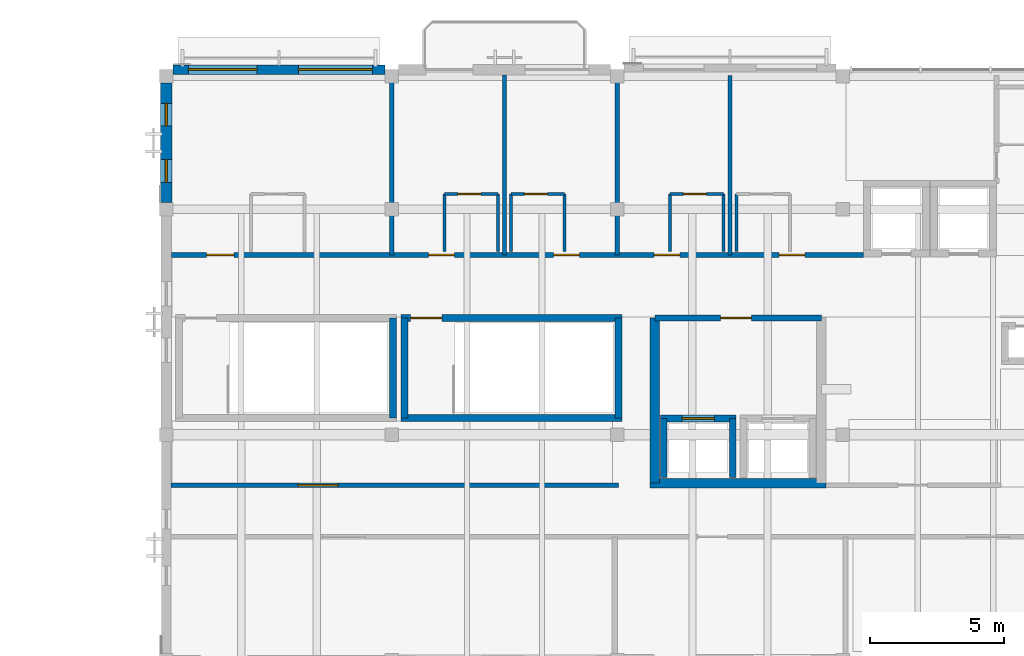
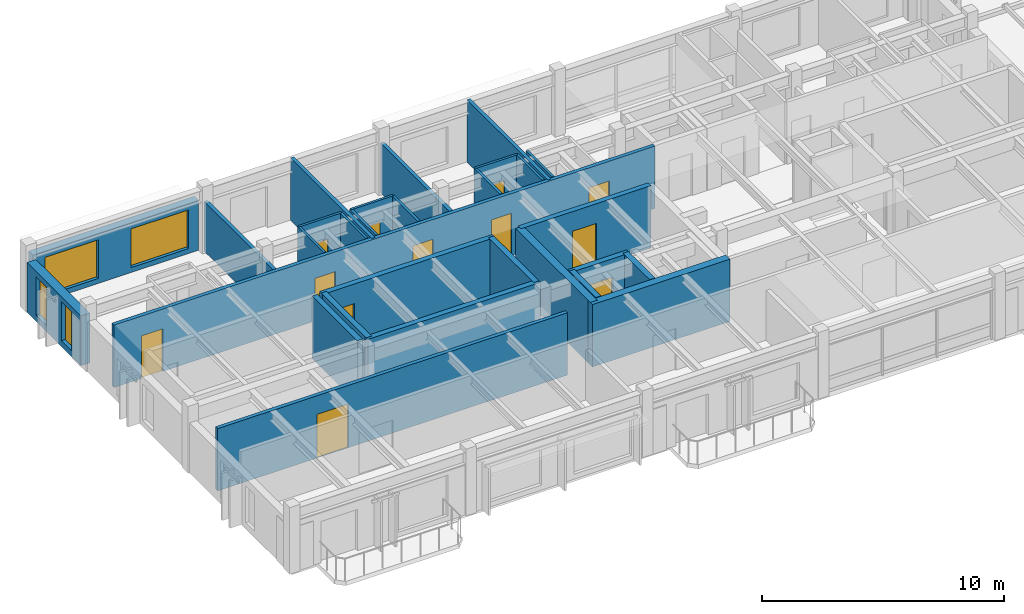
# One storey, part 14 of 24: 29 walls, 12 doors, 4 windows, 16 openings.
"""IFC4 building model written with IfcOpenShell, lengths in metres."""

from ifc_helpers import new_model, si_unit, direction, frame, frame_2d, origin, place, context, subcontext, project, spatial, rectangle, extrude, material, layer, layer_set, type_object, element, fill, save


model = new_model("IFC4")

# Units and contexts
model_context = context("Model", 3, precision=1e-05, world=origin(), true_north=direction((0.0, 1.0)))
body_context = subcontext(model_context, "Body", "Model", "MODEL_VIEW")
ifc_project = project(units=[si_unit("LENGTHUNIT", "METRE"), si_unit("AREAUNIT", "SQUARE_METRE"), si_unit("VOLUMEUNIT", "CUBIC_METRE"), si_unit("PLANEANGLEUNIT", "RADIAN"), si_unit("MASSUNIT", "GRAM", prefix="KILO")], contexts=[model_context])

# Site, building, storey
site_placement = place(None, origin())
site = spatial("IfcSite", under=ifc_project, at=site_placement, CompositionType="ELEMENT")
building_placement = place(site_placement, origin())
building = spatial("IfcBuilding", under=site, at=building_placement, Name="Cumbredor Promenade Congress Hotel", CompositionType="ELEMENT")
storey_placement = place(building_placement, frame((0.0, 0.0, 35.280029296875)))
storey = spatial("IfcBuildingStorey", under=building, at=storey_placement, Name="L10", CompositionType="ELEMENT", Elevation=35.280029296875)

# Walls
ifc_material_1 = material(Name="Concrete C50/60", Category="concrete")
ifc_layer_1 = layer(ifc_material_1, 0.35009765625, Name="Concrete C50/60", Category="concrete")
ifc_layer_set_1 = layer_set([ifc_layer_1], Name="Concrete C50/60")
wall_type_1 = type_object("IfcWallType", Name="Seismic Shear Core Wall 350mm", PredefinedType="SHEAR", material=ifc_layer_set_1)
wall_1_placement = place(storey_placement, frame((26.60009765625, 99.0, 0.0), z_axis=(0.0, 0.0, 1.0), x_axis=(0.0, 1.0, 0.0)))
element("IfcWall", 1, at=wall_1_placement, inside=storey, type_object=wall_type_1, Name="L10 Hotel Core Shear Wall W1", PredefinedType="SHEAR", context=body_context, shape_type="SweptSolid", body=[
    extrude(rectangle(XDim=6.14990234375, YDim=0.35009765625, at=frame_2d((3.074951171875, 0.0))), origin(), (0.0, 0.0, 1.0), 3.139892578125),
])
wall_2_placement = place(storey_placement, frame((26.425048828125, 99.0, 0.0), z_axis=(0.0, 0.0, 1.0), x_axis=(1.0, 0.0, 0.0)))
element("IfcWall", 2, at=wall_2_placement, inside=storey, type_object=wall_type_1, Name="L10 Hotel Core Shear Wall S1", PredefinedType="SHEAR", context=body_context, shape_type="SweptSolid", body=[
    extrude(rectangle(XDim=6.550048828125, YDim=0.35009765625, at=frame_2d((3.27490234375, 0.0))), origin(), (0.0, 0.0, 1.0), 3.139892578125),
])

# Wall, opening, door
ifc_material_2 = material(Name="Moisture-resistant gypsum board on steel studs", Category="steel")
ifc_layer_2 = layer(ifc_material_2, 0.114990234375, Name="Moisture-resistant gypsum board on steel studs", Category="steel")
ifc_layer_set_2 = layer_set([ifc_layer_2], Name="Moisture-resistant gypsum board on steel studs")
wall_type_2 = type_object("IfcWallType", Name="WL-BATH-115", PredefinedType="PARTITIONING", material=ifc_layer_set_2)
wall_3_placement = place(storey_placement, frame((18.760009765625, 109.77001953125, 0.0), z_axis=(0.0, 0.0, 1.0), x_axis=(1.0, 0.0, 0.0)))
wall_3 = element("IfcWall", 3, at=wall_3_placement, inside=storey, type_object=wall_type_2, Name="L10 Interior Partition W-L10-BH-1002", PredefinedType="PARTITIONING", context=body_context, shape_type="SweptSolid", body=[
    extrude(rectangle(XDim=2.0, YDim=0.114990234375, at=frame_2d((1.0, 0.0))), origin(), (0.0, 0.0, 1.0), 3.139892578125),
])
opening_1_placement = place(wall_3_placement, frame((0.5, 0.0, 0.0)))
opening_1 = element("IfcOpeningElement", 4, at=opening_1_placement, cuts=wall_3, Name="Opening ID-01", PredefinedType="OPENING", context=body_context, shape_type="SweptSolid", body=[
    extrude(rectangle(XDim=0.860107421875, YDim=2.050048828125, at=frame_2d((0.43017578125, 1.02490234375))), frame((0.0, 0.0673828125, 0.0), z_axis=(0.0, -1.0, 0.0), x_axis=(1.0, 0.0, 0.0)), (0.0, 0.0, 1.0), 0.135009765625),
])
ifc_material_3 = material(Name="Kiln-dried tropical hardwood", Category="wood")
door_type_1 = type_object("IfcDoorType", Name="DR-BATH-860", OperationType="NOTDEFINED", PredefinedType="DOOR", material=ifc_material_3)
door_1_placement = place(opening_1_placement, origin())
door_1 = element("IfcDoor", 5, at=door_1_placement, inside=storey, type_object=door_type_1, Name="L10 Interior Door W-L10-BH-1002-01", OperationType="SINGLE_SWING_LEFT", OverallHeight=2.050048828125, OverallWidth=0.860107421875, PredefinedType="DOOR", context=body_context, shape_type="SweptSolid", body=[
    extrude(rectangle(XDim=0.860107421875, YDim=2.050048828125, at=frame_2d((0.43017578125, 1.02490234375))), frame((0.0, 0.02490234375, 0.0), z_axis=(0.0, -1.0, 0.0), x_axis=(1.0, 0.0, 0.0)), (0.0, 0.0, 1.0), 0.050048828125),
])
fill(opening_1, door_1)

# Walls
for number, where, z_axis, x_axis, name in (
    (6, (18.760009765625, 107.6201171875, 0.0), (0.0, 0.0, 1.0), (0.0, 1.0, 0.0), "L10 Interior Partition W-L10-BV1-1002"),
    (7, (20.760009765625, 107.6201171875, 0.0), (0.0, 0.0, 1.0), (0.0, 1.0, 0.0), "L10 Interior Partition W-L10-BV2-1002"),
):
    element("IfcWall", number, at=place(storey_placement, frame(where, z_axis=z_axis, x_axis=x_axis)), inside=storey, type_object=wall_type_2, Name=name, PredefinedType="PARTITIONING", context=body_context, shape_type="SweptSolid", body=[
        extrude(rectangle(XDim=2.14990234375, YDim=0.114990234375, at=frame_2d((1.074951171875, 0.0))), origin(), (0.0, 0.0, 1.0), 3.139892578125),
    ])

# Wall, opening, door
wall_4_placement = place(storey_placement, frame((21.239990234375, 109.77001953125, 0.0), z_axis=(0.0, 0.0, 1.0), x_axis=(1.0, 0.0, 0.0)))
wall_4 = element("IfcWall", 8, at=wall_4_placement, inside=storey, type_object=wall_type_2, Name="L10 Interior Partition W-L10-BH-1003", PredefinedType="PARTITIONING", context=body_context, shape_type="SweptSolid", body=[
    extrude(rectangle(XDim=2.0, YDim=0.114990234375, at=frame_2d((1.0, 0.0))), origin(), (0.0, 0.0, 1.0), 3.139892578125),
])
opening_2_placement = place(wall_4_placement, frame((0.5, 0.0, 0.0)))
opening_2 = element("IfcOpeningElement", 9, at=opening_2_placement, cuts=wall_4, Name="Opening ID-01", PredefinedType="OPENING", context=body_context, shape_type="SweptSolid", body=[
    extrude(rectangle(XDim=0.860107421875, YDim=2.050048828125, at=frame_2d((0.43017578125, 1.02490234375))), frame((0.0, 0.0673828125, 0.0), z_axis=(0.0, -1.0, 0.0), x_axis=(1.0, 0.0, 0.0)), (0.0, 0.0, 1.0), 0.135009765625),
])
door_2_placement = place(opening_2_placement, origin())
door_2 = element("IfcDoor", 10, at=door_2_placement, inside=storey, type_object=door_type_1, Name="L10 Interior Door W-L10-BH-1003-01", OperationType="SINGLE_SWING_RIGHT", OverallHeight=2.050048828125, OverallWidth=0.860107421875, PredefinedType="DOOR", context=body_context, shape_type="SweptSolid", body=[
    extrude(rectangle(XDim=0.860107421875, YDim=2.050048828125, at=frame_2d((0.43017578125, 1.02490234375))), frame((0.0, 0.02490234375, 0.0), z_axis=(0.0, -1.0, 0.0), x_axis=(1.0, 0.0, 0.0)), (0.0, 0.0, 1.0), 0.050048828125),
])
fill(opening_2, door_2)

# Walls
for number, where, z_axis, x_axis, name in (
    (11, (21.239990234375, 107.6201171875, 0.0), (0.0, 0.0, 1.0), (0.0, 1.0, 0.0), "L10 Interior Partition W-L10-BV1-1003"),
    (12, (23.239990234375, 107.6201171875, 0.0), (0.0, 0.0, 1.0), (0.0, 1.0, 0.0), "L10 Interior Partition W-L10-BV2-1003"),
):
    element("IfcWall", number, at=place(storey_placement, frame(where, z_axis=z_axis, x_axis=x_axis)), inside=storey, type_object=wall_type_2, Name=name, PredefinedType="PARTITIONING", context=body_context, shape_type="SweptSolid", body=[
        extrude(rectangle(XDim=2.14990234375, YDim=0.114990234375, at=frame_2d((1.074951171875, 0.0))), origin(), (0.0, 0.0, 1.0), 3.139892578125),
    ])

# Wall, opening, door
wall_5_placement = place(storey_placement, frame((27.159912109375, 109.77001953125, 0.0), z_axis=(0.0, 0.0, 1.0), x_axis=(1.0, 0.0, 0.0)))
wall_5 = element("IfcWall", 13, at=wall_5_placement, inside=storey, type_object=wall_type_2, Name="L10 Interior Partition W-L10-BH-1004", PredefinedType="PARTITIONING", context=body_context, shape_type="SweptSolid", body=[
    extrude(rectangle(XDim=2.0, YDim=0.114990234375, at=frame_2d((1.0, 0.0))), origin(), (0.0, 0.0, 1.0), 3.139892578125),
])
opening_3_placement = place(wall_5_placement, frame((0.5, 0.0, 0.0)))
opening_3 = element("IfcOpeningElement", 14, at=opening_3_placement, cuts=wall_5, Name="Opening ID-01", PredefinedType="OPENING", context=body_context, shape_type="SweptSolid", body=[
    extrude(rectangle(XDim=0.860107421875, YDim=2.050048828125, at=frame_2d((0.43017578125, 1.02490234375))), frame((0.0, 0.0673828125, 0.0), z_axis=(0.0, -1.0, 0.0), x_axis=(1.0, 0.0, 0.0)), (0.0, 0.0, 1.0), 0.135009765625),
])
door_3_placement = place(opening_3_placement, origin())
door_3 = element("IfcDoor", 15, at=door_3_placement, inside=storey, type_object=door_type_1, Name="L10 Interior Door W-L10-BH-1004-01", OperationType="SINGLE_SWING_LEFT", OverallHeight=2.050048828125, OverallWidth=0.860107421875, PredefinedType="DOOR", context=body_context, shape_type="SweptSolid", body=[
    extrude(rectangle(XDim=0.860107421875, YDim=2.050048828125, at=frame_2d((0.43017578125, 1.02490234375))), frame((0.0, 0.02490234375, 0.0), z_axis=(0.0, -1.0, 0.0), x_axis=(1.0, 0.0, 0.0)), (0.0, 0.0, 1.0), 0.050048828125),
])
fill(opening_3, door_3)

# Walls
for number, where, z_axis, x_axis, name in (
    (16, (27.159912109375, 107.6201171875, 0.0), (0.0, 0.0, 1.0), (0.0, 1.0, 0.0), "L10 Interior Partition W-L10-BV1-1004"),
    (17, (29.159912109375, 107.6201171875, 0.0), (0.0, 0.0, 1.0), (0.0, 1.0, 0.0), "L10 Interior Partition W-L10-BV2-1004"),
    (18, (29.639892578125, 107.6201171875, 0.0), (0.0, 0.0, 1.0), (0.0, 1.0, 0.0), "L10 Interior Partition W-L10-BV1-1005"),
):
    element("IfcWall", number, at=place(storey_placement, frame(where, z_axis=z_axis, x_axis=x_axis)), inside=storey, type_object=wall_type_2, Name=name, PredefinedType="PARTITIONING", context=body_context, shape_type="SweptSolid", body=[
        extrude(rectangle(XDim=2.14990234375, YDim=0.114990234375, at=frame_2d((1.074951171875, 0.0))), origin(), (0.0, 0.0, 1.0), 3.139892578125),
    ])

# Wall, openings, doors
ifc_material_4 = material(Name="Fire-rated hotel corridor wall")
ifc_layer_3 = layer(ifc_material_4, 0.179931640625, Name="Fire-rated hotel corridor wall")
ifc_layer_set_3 = layer_set([ifc_layer_3], Name="Fire-rated hotel corridor wall")
wall_type_3 = type_object("IfcWallType", Name="WL-CORR-180", PredefinedType="PARTITIONING", material=ifc_layer_set_3)
wall_6_placement = place(storey_placement, frame((8.590087890625, 107.5, 0.0), z_axis=(0.0, 0.0, 1.0), x_axis=(1.0, 0.0, 0.0)))
wall_6 = element("IfcWall", 19, at=wall_6_placement, inside=storey, type_object=wall_type_3, Name="L10 Interior Partition W-L10-CORR-NW", PredefinedType="PARTITIONING", context=body_context, shape_type="SweptSolid", body=[
    extrude(rectangle(XDim=25.780029296875, YDim=0.179931640625, at=frame_2d((12.89013671875, 0.0))), origin(), (0.0, 0.0, 1.0), 3.139892578125),
])
opening_4_placement = place(wall_6_placement, frame((1.31005859375, 0.0, 0.0)))
opening_4 = element("IfcOpeningElement", 20, at=opening_4_placement, cuts=wall_6, Name="Opening FD-02", PredefinedType="OPENING", context=body_context, shape_type="SweptSolid", body=[
    extrude(rectangle(XDim=1.02001953125, YDim=2.14990234375, at=frame_2d((0.510009765625, 1.074951171875))), frame((0.0, 0.10009765625, 0.0), z_axis=(0.0, -1.0, 0.0), x_axis=(1.0, 0.0, 0.0)), (0.0, 0.0, 1.0), 0.199951171875),
])
opening_5_placement = place(wall_6_placement, frame((9.580078125, 0.0, 0.0)))
opening_5 = element("IfcOpeningElement", 21, at=opening_5_placement, cuts=wall_6, Name="Opening FD-01", PredefinedType="OPENING", context=body_context, shape_type="SweptSolid", body=[
    extrude(rectangle(XDim=0.9599609375, YDim=2.14990234375, at=frame_2d((0.47998046875, 1.074951171875))), frame((0.0, 0.10009765625, 0.0), z_axis=(0.0, -1.0, 0.0), x_axis=(1.0, 0.0, 0.0)), (0.0, 0.0, 1.0), 0.199951171875),
])
opening_6_placement = place(wall_6_placement, frame((14.239990234375, 0.0, 0.0)))
opening_6 = element("IfcOpeningElement", 22, at=opening_6_placement, cuts=wall_6, Name="Opening FD-01", PredefinedType="OPENING", context=body_context, shape_type="SweptSolid", body=[
    extrude(rectangle(XDim=0.9599609375, YDim=2.14990234375, at=frame_2d((0.47998046875, 1.074951171875))), frame((0.0, 0.10009765625, 0.0), z_axis=(0.0, -1.0, 0.0), x_axis=(1.0, 0.0, 0.0)), (0.0, 0.0, 1.0), 0.199951171875),
])
opening_7_placement = place(wall_6_placement, frame((17.97998046875, 0.0, 0.0)))
opening_7 = element("IfcOpeningElement", 23, at=opening_7_placement, cuts=wall_6, Name="Opening FD-01", PredefinedType="OPENING", context=body_context, shape_type="SweptSolid", body=[
    extrude(rectangle(XDim=0.9599609375, YDim=2.14990234375, at=frame_2d((0.47998046875, 1.074951171875))), frame((0.0, 0.10009765625, 0.0), z_axis=(0.0, -1.0, 0.0), x_axis=(1.0, 0.0, 0.0)), (0.0, 0.0, 1.0), 0.199951171875),
])
opening_8_placement = place(wall_6_placement, frame((22.639892578125, 0.0, 0.0)))
opening_8 = element("IfcOpeningElement", 24, at=opening_8_placement, cuts=wall_6, Name="Opening FD-01", PredefinedType="OPENING", context=body_context, shape_type="SweptSolid", body=[
    extrude(rectangle(XDim=0.9599609375, YDim=2.14990234375, at=frame_2d((0.47998046875, 1.074951171875))), frame((0.0, 0.10009765625, 0.0), z_axis=(0.0, -1.0, 0.0), x_axis=(1.0, 0.0, 0.0)), (0.0, 0.0, 1.0), 0.199951171875),
])
ifc_material_5 = material(Name="Solid-core fire-rated tropical hardwood", Category="wood")
door_type_2 = type_object("IfcDoorType", Name="DR-GUEST-FD30-1000", OperationType="NOTDEFINED", PredefinedType="DOOR", material=ifc_material_5)
door_4_placement = place(opening_4_placement, origin())
door_4 = element("IfcDoor", 25, at=door_4_placement, inside=storey, type_object=door_type_2, Name="L10 Interior Door W-L10-CORR-NW-01", OperationType="SINGLE_SWING_LEFT", OverallHeight=2.14990234375, OverallWidth=1.02001953125, PredefinedType="DOOR", context=body_context, shape_type="SweptSolid", body=[
    extrude(rectangle(XDim=1.02001953125, YDim=2.14990234375, at=frame_2d((0.510009765625, 1.074951171875))), frame((0.0, 0.02490234375, 0.0), z_axis=(0.0, -1.0, 0.0), x_axis=(1.0, 0.0, 0.0)), (0.0, 0.0, 1.0), 0.050048828125),
])
fill(opening_4, door_4)
door_type_3 = type_object("IfcDoorType", Name="DR-GUEST-FD30-950", OperationType="NOTDEFINED", PredefinedType="DOOR", material=ifc_material_5)
door_5_placement = place(opening_5_placement, origin())
door_5 = element("IfcDoor", 26, at=door_5_placement, inside=storey, type_object=door_type_3, Name="L10 Interior Door W-L10-CORR-NW-02", OperationType="SINGLE_SWING_RIGHT", OverallHeight=2.14990234375, OverallWidth=0.9599609375, PredefinedType="DOOR", context=body_context, shape_type="SweptSolid", body=[
    extrude(rectangle(XDim=0.9599609375, YDim=2.14990234375, at=frame_2d((0.47998046875, 1.074951171875))), frame((0.0, 0.02490234375, 0.0), z_axis=(0.0, -1.0, 0.0), x_axis=(1.0, 0.0, 0.0)), (0.0, 0.0, 1.0), 0.050048828125),
])
fill(opening_5, door_5)
door_6_placement = place(opening_6_placement, origin())
door_6 = element("IfcDoor", 27, at=door_6_placement, inside=storey, type_object=door_type_3, Name="L10 Interior Door W-L10-CORR-NW-03", OperationType="SINGLE_SWING_LEFT", OverallHeight=2.14990234375, OverallWidth=0.9599609375, PredefinedType="DOOR", context=body_context, shape_type="SweptSolid", body=[
    extrude(rectangle(XDim=0.9599609375, YDim=2.14990234375, at=frame_2d((0.47998046875, 1.074951171875))), frame((0.0, 0.02490234375, 0.0), z_axis=(0.0, -1.0, 0.0), x_axis=(1.0, 0.0, 0.0)), (0.0, 0.0, 1.0), 0.050048828125),
])
fill(opening_6, door_6)
door_7_placement = place(opening_7_placement, origin())
door_7 = element("IfcDoor", 28, at=door_7_placement, inside=storey, type_object=door_type_3, Name="L10 Interior Door W-L10-CORR-NW-04", OperationType="SINGLE_SWING_RIGHT", OverallHeight=2.14990234375, OverallWidth=0.9599609375, PredefinedType="DOOR", context=body_context, shape_type="SweptSolid", body=[
    extrude(rectangle(XDim=0.9599609375, YDim=2.14990234375, at=frame_2d((0.47998046875, 1.074951171875))), frame((0.0, 0.02490234375, 0.0), z_axis=(0.0, -1.0, 0.0), x_axis=(1.0, 0.0, 0.0)), (0.0, 0.0, 1.0), 0.050048828125),
])
fill(opening_7, door_7)
door_8_placement = place(opening_8_placement, origin())
door_8 = element("IfcDoor", 29, at=door_8_placement, inside=storey, type_object=door_type_3, Name="L10 Interior Door W-L10-CORR-NW-05", OperationType="SINGLE_SWING_LEFT", OverallHeight=2.14990234375, OverallWidth=0.9599609375, PredefinedType="DOOR", context=body_context, shape_type="SweptSolid", body=[
    extrude(rectangle(XDim=0.9599609375, YDim=2.14990234375, at=frame_2d((0.47998046875, 1.074951171875))), frame((0.0, 0.02490234375, 0.0), z_axis=(0.0, -1.0, 0.0), x_axis=(1.0, 0.0, 0.0)), (0.0, 0.0, 1.0), 0.050048828125),
])
fill(opening_8, door_8)

# Wall, opening, door
wall_7_placement = place(storey_placement, frame((8.574951171875, 98.919921875, 0.0), z_axis=(0.0, 0.0, 1.0), x_axis=(1.0, 0.0, 0.0)))
wall_7 = element("IfcWall", 30, at=wall_7_placement, inside=storey, type_object=wall_type_3, Name="L10 Interior Partition W-L10-STUDY-S", PredefinedType="PARTITIONING", context=body_context, shape_type="SweptSolid", body=[
    extrude(rectangle(XDim=16.675048828125, YDim=0.179931640625, at=frame_2d((8.33740234375, 0.0))), origin(), (0.0, 0.0, 1.0), 3.139892578125),
])
opening_9_placement = place(wall_7_placement, frame((4.72509765625, 0.0, 0.0)))
opening_9 = element("IfcOpeningElement", 31, at=opening_9_placement, cuts=wall_7, Name="Opening FD-07", PredefinedType="OPENING", context=body_context, shape_type="SweptSolid", body=[
    extrude(rectangle(XDim=1.5, YDim=2.199951171875, at=frame_2d((0.75, 1.10009765625))), frame((0.0, 0.10009765625, 0.0), z_axis=(0.0, -1.0, 0.0), x_axis=(1.0, 0.0, 0.0)), (0.0, 0.0, 1.0), 0.199951171875),
])
door_type_4 = type_object("IfcDoorType", Name="DR-DBL-FD60-1500", OperationType="DOUBLE_DOOR_SINGLE_SWING", PredefinedType="DOOR", material=ifc_material_5)
door_9_placement = place(opening_9_placement, origin())
door_9 = element("IfcDoor", 32, at=door_9_placement, inside=storey, type_object=door_type_4, Name="L10 Interior Door W-L10-STUDY-S-01", OperationType="DOUBLE_DOOR_SINGLE_SWING", OverallHeight=2.199951171875, OverallWidth=1.5, PredefinedType="DOOR", context=body_context, shape_type="SweptSolid", body=[
    extrude(rectangle(XDim=1.5, YDim=2.199951171875, at=frame_2d((0.75, 1.10009765625))), frame((0.0, 0.02490234375, 0.0), z_axis=(0.0, -1.0, 0.0), x_axis=(1.0, 0.0, 0.0)), (0.0, 0.0, 1.0), 0.050048828125),
])
fill(opening_9, door_9)

# Wall, openings, windows
ifc_material_6 = material(Name="Concrete C40/50", Category="concrete")
ifc_layer_4 = layer(ifc_material_6, 0.35009765625, Name="Concrete C40/50", Category="concrete")
ifc_layer_set_4 = layer_set([ifc_layer_4], Name="Concrete C40/50")
wall_type_4 = type_object("IfcWallType", Name="WL-EXT-350", PredefinedType="SOLIDWALL", material=ifc_layer_set_4)
wall_8_placement = place(storey_placement, frame((8.65087890625, 114.39990234375, 0.0), z_axis=(0.0, 0.0, 1.0), x_axis=(1.0, 0.0, 0.0)))
wall_8 = element("IfcWall", 33, at=wall_8_placement, inside=storey, type_object=wall_type_4, Name="L10 Stepped Congress Hotel Wing North Envelope Wall 1", PredefinedType="SOLIDWALL", context=body_context, shape_type="SweptSolid", body=[
    extrude(rectangle(XDim=7.898193359375, YDim=0.35009765625, at=frame_2d((3.94921875, 0.0))), origin(), (0.0, 0.0, 1.0), 2.513916015625),
])
opening_10_placement = place(wall_8_placement, frame((0.573974609375, 0.0, 0.25)))
opening_10 = element("IfcOpeningElement", 34, at=opening_10_placement, cuts=wall_8, Name="Opening WN-10", PredefinedType="OPENING", context=body_context, shape_type="SweptSolid", body=[
    extrude(rectangle(XDim=2.550048828125, YDim=1.949951171875, at=frame_2d((1.27490234375, 0.97509765625))), frame((0.0, 0.18505859375, 0.0), z_axis=(0.0, -1.0, 0.0), x_axis=(1.0, 0.0, 0.0)), (0.0, 0.0, 1.0), 0.3701171875),
])
opening_11_placement = place(wall_8_placement, frame((4.674072265625, 0.0, 0.25)))
opening_11 = element("IfcOpeningElement", 35, at=opening_11_placement, cuts=wall_8, Name="Opening WN-12", PredefinedType="OPENING", context=body_context, shape_type="SweptSolid", body=[
    extrude(rectangle(XDim=2.75, YDim=1.949951171875, at=frame_2d((1.375, 0.97509765625))), frame((0.0, 0.18505859375, 0.0), z_axis=(0.0, -1.0, 0.0), x_axis=(1.0, 0.0, 0.0)), (0.0, 0.0, 1.0), 0.3701171875),
])
ifc_material_7 = material(Name="Thermally broken anodized aluminium and low-E glass", Category="aluminium")
window_type_1 = type_object("IfcWindowType", Name="Hospitality Floor-to-Ceiling Window WN-10 2550x1950", PartitioningType="DOUBLE_PANEL_VERTICAL", PredefinedType="WINDOW", material=ifc_material_7)
window_1_placement = place(opening_10_placement, origin())
window_1 = element("IfcWindow", 36, at=window_1_placement, inside=storey, type_object=window_type_1, Name="L10 Wide Hospitality Window 0715", OverallHeight=1.949951171875, OverallWidth=2.550048828125, PartitioningType="DOUBLE_PANEL_VERTICAL", PredefinedType="WINDOW", context=body_context, shape_type="SweptSolid", body=[
    extrude(rectangle(XDim=2.550048828125, YDim=1.949951171875, at=frame_2d((1.27490234375, 0.97509765625))), frame((0.0, 0.030029296875, 0.0), z_axis=(0.0, -1.0, 0.0), x_axis=(1.0, 0.0, 0.0)), (0.0, 0.0, 1.0), 0.06005859375),
])
fill(opening_10, window_1)
window_type_2 = type_object("IfcWindowType", Name="Hospitality Floor-to-Ceiling Window WN-12 2750x1950", PartitioningType="DOUBLE_PANEL_VERTICAL", PredefinedType="WINDOW", material=ifc_material_7)
window_2_placement = place(opening_11_placement, origin())
window_2 = element("IfcWindow", 37, at=window_2_placement, inside=storey, type_object=window_type_2, Name="L10 Wide Hospitality Window 0716", OverallHeight=1.949951171875, OverallWidth=2.75, PartitioningType="DOUBLE_PANEL_VERTICAL", PredefinedType="WINDOW", context=body_context, shape_type="SweptSolid", body=[
    extrude(rectangle(XDim=2.75, YDim=1.949951171875, at=frame_2d((1.375, 0.97509765625))), frame((0.0, 0.030029296875, 0.0), z_axis=(0.0, -1.0, 0.0), x_axis=(1.0, 0.0, 0.0)), (0.0, 0.0, 1.0), 0.06005859375),
])
fill(opening_11, window_2)

ifc_layer_5 = layer(ifc_material_6, 0.425048828125, Name="Concrete C40/50", Category="concrete")
ifc_layer_set_5 = layer_set([ifc_layer_5], Name="Concrete C40/50")
wall_type_5 = type_object("IfcWallType", Name="WL-EXT-425", PredefinedType="SOLIDWALL", material=ifc_layer_set_5)
wall_9_placement = place(storey_placement, frame((8.39990234375, 109.450927734375, 0.0), z_axis=(0.0, 0.0, 1.0), x_axis=(0.0, 1.0, 0.0)))
wall_9 = element("IfcWall", 38, at=wall_9_placement, inside=storey, type_object=wall_type_5, Name="L10 Stepped Congress Hotel Wing West Envelope Wall 3", PredefinedType="SOLIDWALL", context=body_context, shape_type="SweptSolid", body=[
    extrude(rectangle(XDim=4.447998046875, YDim=0.425048828125, at=frame_2d((2.22412109375, 0.0))), origin(), (0.0, 0.0, 1.0), 2.513916015625),
])
opening_12_placement = place(wall_9_placement, frame((0.75390625, 0.0, 0.300048828125)))
opening_12 = element("IfcOpeningElement", 39, at=opening_12_placement, cuts=wall_9, Name="Opening WN-51", PredefinedType="OPENING", context=body_context, shape_type="SweptSolid", body=[
    extrude(rectangle(XDim=0.840087890625, YDim=1.949951171875, at=frame_2d((0.419921875, 0.97509765625))), frame((0.0, 0.22265625, 0.0), z_axis=(0.0, -1.0, 0.0), x_axis=(1.0, 0.0, 0.0)), (0.0, 0.0, 1.0), 0.445068359375),
])
opening_13_placement = place(wall_9_placement, frame((2.85400390625, 0.0, 0.300048828125)))
opening_13 = element("IfcOpeningElement", 40, at=opening_13_placement, cuts=wall_9, Name="Opening WN-51", PredefinedType="OPENING", context=body_context, shape_type="SweptSolid", body=[
    extrude(rectangle(XDim=0.840087890625, YDim=1.949951171875, at=frame_2d((0.419921875, 0.97509765625))), frame((0.0, 0.22265625, 0.0), z_axis=(0.0, -1.0, 0.0), x_axis=(1.0, 0.0, 0.0)), (0.0, 0.0, 1.0), 0.445068359375),
])
window_type_3 = type_object("IfcWindowType", Name="Vertical Slot Window WN-51 840x1950", PartitioningType="SINGLE_PANEL", PredefinedType="WINDOW", material=ifc_material_7)
window_3_placement = place(opening_12_placement, origin())
window_3 = element("IfcWindow", 41, at=window_3_placement, inside=storey, type_object=window_type_3, Name="L10 Vertical Slot Window 0726", OverallHeight=1.949951171875, OverallWidth=0.840087890625, PartitioningType="SINGLE_PANEL", PredefinedType="WINDOW", context=body_context, shape_type="SweptSolid", body=[
    extrude(rectangle(XDim=0.840087890625, YDim=1.949951171875, at=frame_2d((0.419921875, 0.97509765625))), frame((0.0, 0.030029296875, 0.0), z_axis=(0.0, -1.0, 0.0), x_axis=(1.0, 0.0, 0.0)), (0.0, 0.0, 1.0), 0.06005859375),
])
fill(opening_12, window_3)
window_4_placement = place(opening_13_placement, origin())
window_4 = element("IfcWindow", 42, at=window_4_placement, inside=storey, type_object=window_type_3, Name="L10 Vertical Slot Window 0727", OverallHeight=1.949951171875, OverallWidth=0.840087890625, PartitioningType="SINGLE_PANEL", PredefinedType="WINDOW", context=body_context, shape_type="SweptSolid", body=[
    extrude(rectangle(XDim=0.840087890625, YDim=1.949951171875, at=frame_2d((0.419921875, 0.97509765625))), frame((0.0, 0.030029296875, 0.0), z_axis=(0.0, -1.0, 0.0), x_axis=(1.0, 0.0, 0.0)), (0.0, 0.0, 1.0), 0.06005859375),
])
fill(opening_13, window_4)

# Wall, opening, door
ifc_layer_6 = layer(ifc_material_6, 0.239990234375, Name="Concrete C40/50", Category="concrete")
ifc_layer_set_6 = layer_set([ifc_layer_6], Name="Concrete C40/50")
wall_type_6 = type_object("IfcWallType", Name="WL-FFL-240", PredefinedType="SOLIDWALL", material=ifc_layer_set_6)
wall_10_placement = place(storey_placement, frame((26.60009765625, 105.14990234375, 0.0), z_axis=(0.0, 0.0, 1.0), x_axis=(1.0, 0.0, 0.0)))
wall_10 = element("IfcWall", 43, at=wall_10_placement, inside=storey, type_object=wall_type_6, Name="L10 Interior Partition W-FFL-L10-N", PredefinedType="SOLIDWALL", context=body_context, shape_type="SweptSolid", body=[
    extrude(rectangle(XDim=6.199951171875, YDim=0.239990234375, at=frame_2d((3.10009765625, 0.0))), origin(), (0.0, 0.0, 1.0), 3.139892578125),
])
opening_14_placement = place(wall_10_placement, frame((2.449951171875, 0.0, 0.0)))
opening_14 = element("IfcOpeningElement", 44, at=opening_14_placement, cuts=wall_10, Name="Opening FD-05", PredefinedType="OPENING", context=body_context, shape_type="SweptSolid", body=[
    extrude(rectangle(XDim=1.14990234375, YDim=2.14990234375, at=frame_2d((0.574951171875, 1.074951171875))), frame((0.0, 0.1298828125, 0.0), z_axis=(0.0, -1.0, 0.0), x_axis=(1.0, 0.0, 0.0)), (0.0, 0.0, 1.0), 0.260009765625),
])
ifc_material_8 = material(Name="Painted galvanized steel fire door", Category="steel")
door_type_5 = type_object("IfcDoorType", Name="DR-SGL-FD60-1150", OperationType="NOTDEFINED", PredefinedType="DOOR", material=ifc_material_8)
door_10_placement = place(opening_14_placement, origin())
door_10 = element("IfcDoor", 45, at=door_10_placement, inside=storey, type_object=door_type_5, Name="L10 Interior Door W-FFL-L10-N-01", OperationType="SINGLE_SWING_LEFT", OverallHeight=2.14990234375, OverallWidth=1.14990234375, PredefinedType="DOOR", context=body_context, shape_type="SweptSolid", body=[
    extrude(rectangle(XDim=1.14990234375, YDim=2.14990234375, at=frame_2d((0.574951171875, 1.074951171875))), frame((0.0, 0.02490234375, 0.0), z_axis=(0.0, -1.0, 0.0), x_axis=(1.0, 0.0, 0.0)), (0.0, 0.0, 1.0), 0.050048828125),
])
fill(opening_14, door_10)

# Walls
ifc_layer_7 = layer(ifc_material_6, 0.2548828125, Name="Concrete C40/50", Category="concrete")
ifc_layer_set_7 = layer_set([ifc_layer_7], Name="Concrete C40/50")
wall_type_7 = type_object("IfcWallType", Name="WL-SHAFT-250", PredefinedType="SOLIDWALL", material=ifc_layer_set_7)
wall_11_placement = place(storey_placement, frame((16.85009765625, 101.419921875, 0.0), z_axis=(0.0, 0.0, 1.0), x_axis=(0.0, 1.0, 0.0)))
element("IfcWall", 46, at=wall_11_placement, inside=storey, type_object=wall_type_7, Name="STAIR-ST-01-L10 Shaft Wall East", PredefinedType="SOLIDWALL", context=body_context, shape_type="SweptSolid", body=[
    extrude(rectangle(XDim=3.72998046875, YDim=0.2548828125, at=frame_2d((1.864990234375, 0.0))), origin(), (0.0, 0.0, 1.0), 3.139892578125),
])
wall_12_placement = place(storey_placement, frame((17.152587890625, 101.419921875, 0.0), z_axis=(0.0, 0.0, 1.0), x_axis=(1.0, 0.0, 0.0)))
element("IfcWall", 47, at=wall_12_placement, inside=storey, type_object=wall_type_7, Name="STAIR-ST-02-L10 Shaft Wall South", PredefinedType="SOLIDWALL", context=body_context, shape_type="SweptSolid", body=[
    extrude(rectangle(XDim=8.224853515625, YDim=0.2548828125, at=frame_2d((4.1123046875, 0.0))), origin(), (0.0, 0.0, 1.0), 3.139892578125),
])

# Wall, opening, door
wall_13_placement = place(storey_placement, frame((17.152587890625, 105.14990234375, 0.0), z_axis=(0.0, 0.0, 1.0), x_axis=(1.0, 0.0, 0.0)))
wall_13 = element("IfcWall", 48, at=wall_13_placement, inside=storey, type_object=wall_type_7, Name="STAIR-ST-02-L10 Shaft Wall North", PredefinedType="SOLIDWALL", context=body_context, shape_type="SweptSolid", body=[
    extrude(rectangle(XDim=8.224853515625, YDim=0.2548828125, at=frame_2d((4.1123046875, 0.0))), origin(), (0.0, 0.0, 1.0), 3.139892578125),
])
opening_15_placement = place(wall_13_placement, frame((0.35009765625, 0.0, 0.0)))
opening_15 = element("IfcOpeningElement", 49, at=opening_15_placement, cuts=wall_13, Name="Opening SD-01", PredefinedType="OPENING", context=body_context, shape_type="SweptSolid", body=[
    extrude(rectangle(XDim=1.159912109375, YDim=2.14990234375, at=frame_2d((0.580078125, 1.074951171875))), frame((0.0, 0.137451171875, 0.0), z_axis=(0.0, -1.0, 0.0), x_axis=(1.0, 0.0, 0.0)), (0.0, 0.0, 1.0), 0.27490234375),
])
door_type_6 = type_object("IfcDoorType", Name="DR-STAIR-FD90-1150", OperationType="NOTDEFINED", PredefinedType="DOOR", material=ifc_material_8)
door_11_placement = place(opening_15_placement, origin())
door_11 = element("IfcDoor", 50, at=door_11_placement, inside=storey, type_object=door_type_6, Name="L10 Protected Exit Stair ST-02 Door", OperationType="SINGLE_SWING_LEFT", OverallHeight=2.14990234375, OverallWidth=1.159912109375, PredefinedType="DOOR", context=body_context, shape_type="SweptSolid", body=[
    extrude(rectangle(XDim=1.159912109375, YDim=2.14990234375, at=frame_2d((0.580078125, 1.074951171875))), frame((0.0, 0.02490234375, 0.0), z_axis=(0.0, -1.0, 0.0), x_axis=(1.0, 0.0, 0.0)), (0.0, 0.0, 1.0), 0.050048828125),
])
fill(opening_15, door_11)

# Walls
for number, where, z_axis, x_axis, name in (
    (51, (17.280029296875, 101.419921875, 0.0), (0.0, 0.0, 1.0), (0.0, 1.0, 0.0), "STAIR-ST-02-L10 Shaft Wall West"),
    (52, (25.25, 101.419921875, 0.0), (0.0, 0.0, 1.0), (0.0, 1.0, 0.0), "STAIR-ST-02-L10 Shaft Wall East"),
):
    element("IfcWall", number, at=place(storey_placement, frame(where, z_axis=z_axis, x_axis=x_axis)), inside=storey, type_object=wall_type_7, Name=name, PredefinedType="SOLIDWALL", context=body_context, shape_type="SweptSolid", body=[
        extrude(rectangle(XDim=3.72998046875, YDim=0.2548828125, at=frame_2d((1.864990234375, 0.0))), origin(), (0.0, 0.0, 1.0), 3.139892578125),
    ])

# Wall, opening, door
wall_14_placement = place(storey_placement, frame((26.802490234375, 101.39990234375, 0.0), z_axis=(0.0, 0.0, 1.0), x_axis=(1.0, 0.0, 0.0)))
wall_14 = element("IfcWall", 53, at=wall_14_placement, inside=storey, type_object=wall_type_7, Name="SHAFT-FF-01-L10 Shaft Wall North", PredefinedType="SOLIDWALL", context=body_context, shape_type="SweptSolid", body=[
    extrude(rectangle(XDim=2.824951171875, YDim=0.2548828125, at=frame_2d((1.41259765625, 0.0))), origin(), (0.0, 0.0, 1.0), 3.139892578125),
])
opening_16_placement = place(wall_14_placement, frame((0.8125, 0.0, 0.0)))
opening_16 = element("IfcOpeningElement", 54, at=opening_16_placement, cuts=wall_14, Name="Opening LD-02", PredefinedType="OPENING", context=body_context, shape_type="SweptSolid", body=[
    extrude(rectangle(XDim=1.199951171875, YDim=2.199951171875, at=frame_2d((0.60009765625, 1.10009765625))), frame((0.0, 0.137451171875, 0.0), z_axis=(0.0, -1.0, 0.0), x_axis=(1.0, 0.0, 0.0)), (0.0, 0.0, 1.0), 0.27490234375),
])
ifc_material_9 = material(Name="Brushed stainless steel", Category="steel")
door_type_7 = type_object("IfcDoorType", Name="Firefighting Lift Sliding Door LD-02 1200x2200", OperationType="DOUBLE_DOOR_SLIDING", PredefinedType="DOOR", material=ifc_material_9)
door_12_placement = place(opening_16_placement, origin())
door_12 = element("IfcDoor", 55, at=door_12_placement, inside=storey, type_object=door_type_7, Name="L10 Firefighting Lift FF-01 Sliding Landing Door", OperationType="DOUBLE_DOOR_SLIDING", OverallHeight=2.199951171875, OverallWidth=1.199951171875, PredefinedType="DOOR", context=body_context, shape_type="SweptSolid", body=[
    extrude(rectangle(XDim=1.199951171875, YDim=2.199951171875, at=frame_2d((0.60009765625, 1.10009765625))), frame((0.0, 0.02490234375, 0.0), z_axis=(0.0, -1.0, 0.0), x_axis=(1.0, 0.0, 0.0)), (0.0, 0.0, 1.0), 0.050048828125),
])
fill(opening_16, door_12)

# Walls
for number, where, z_axis, x_axis, name in (
    (56, (26.929931640625, 99.199951171875, 0.0), (0.0, 0.0, 1.0), (0.0, 1.0, 0.0), "SHAFT-FF-01-L10 Shaft Wall West"),
    (57, (29.5, 99.199951171875, 0.0), (0.0, 0.0, 1.0), (0.0, 1.0, 0.0), "SHAFT-FF-01-L10 Shaft Wall East"),
):
    element("IfcWall", number, at=place(storey_placement, frame(where, z_axis=z_axis, x_axis=x_axis)), inside=storey, type_object=wall_type_7, Name=name, PredefinedType="SOLIDWALL", context=body_context, shape_type="SweptSolid", body=[
        extrude(rectangle(XDim=2.199951171875, YDim=0.2548828125, at=frame_2d((1.10009765625, 0.0))), origin(), (0.0, 0.0, 1.0), 3.139892578125),
    ])
ifc_material_10 = material(Name="Fire-rated acoustic double-stud partition")
ifc_layer_8 = layer(ifc_material_10, 0.1650390625, Name="Fire-rated acoustic double-stud partition")
ifc_layer_set_8 = layer_set([ifc_layer_8], Name="Fire-rated acoustic double-stud partition")
wall_type_8 = type_object("IfcWallType", Name="WL-UNIT-165", PredefinedType="PARTITIONING", material=ifc_layer_set_8)
wall_15_placement = place(storey_placement, frame((21.0, 107.5, 0.0), z_axis=(0.0, 0.0, 1.0), x_axis=(0.0, 1.0, 0.0)))
element("IfcWall", 58, at=wall_15_placement, inside=storey, type_object=wall_type_8, Name="L10 Interior Partition W-L10-N-DIV-1-M", PredefinedType="PARTITIONING", context=body_context, shape_type="SweptSolid", body=[
    extrude(rectangle(XDim=6.7099609375, YDim=0.1650390625, at=frame_2d((3.35498046875, 0.0))), origin(), (0.0, 0.0, 1.0), 3.139892578125),
])
wall_16_placement = place(storey_placement, frame((16.800048828125, 107.5, 0.0), z_axis=(0.0, 0.0, 1.0), x_axis=(0.0, 1.0, 0.0)))
element("IfcWall", 59, at=wall_16_placement, inside=storey, type_object=wall_type_8, Name="L10 Interior Partition W-L10-N-DIV-1-G", PredefinedType="PARTITIONING", context=body_context, shape_type="SweptSolid", body=[
    extrude(rectangle(XDim=6.550048828125, YDim=0.1650390625, at=frame_2d((3.27490234375, 0.0))), origin(), (0.0, 0.0, 1.0), 2.513916015625),
])
wall_17_placement = place(storey_placement, frame((29.39990234375, 107.5, 0.0), z_axis=(0.0, 0.0, 1.0), x_axis=(0.0, 1.0, 0.0)))
element("IfcWall", 60, at=wall_17_placement, inside=storey, type_object=wall_type_8, Name="L10 Interior Partition W-L10-N-DIV-2-M", PredefinedType="PARTITIONING", context=body_context, shape_type="SweptSolid", body=[
    extrude(rectangle(XDim=6.6875, YDim=0.1650390625, at=frame_2d((3.34375, 0.0))), origin(), (0.0, 0.0, 1.0), 3.139892578125),
])
wall_18_placement = place(storey_placement, frame((25.199951171875, 107.5, 0.0), z_axis=(0.0, 0.0, 1.0), x_axis=(0.0, 1.0, 0.0)))
element("IfcWall", 61, at=wall_18_placement, inside=storey, type_object=wall_type_8, Name="L10 Interior Partition W-L10-N-DIV-2-G", PredefinedType="PARTITIONING", context=body_context, shape_type="SweptSolid", body=[
    extrude(rectangle(XDim=6.550048828125, YDim=0.1650390625, at=frame_2d((3.27490234375, 0.0))), origin(), (0.0, 0.0, 1.0), 2.513916015625),
])

save(model, "model.ifc")
